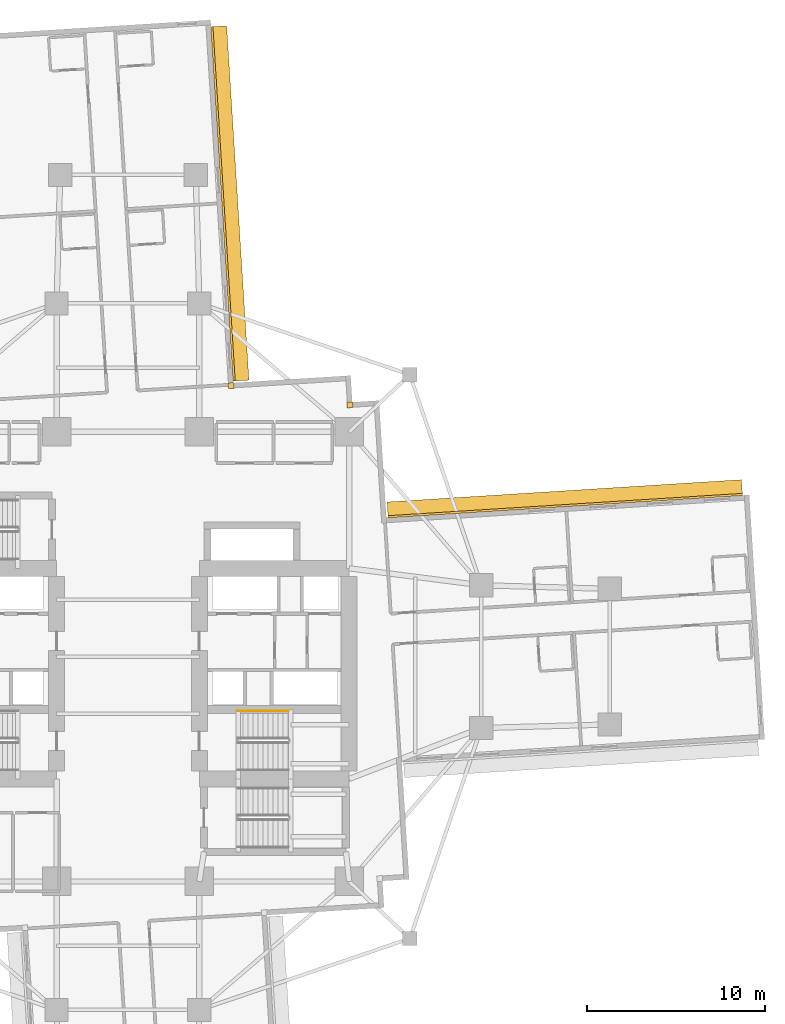
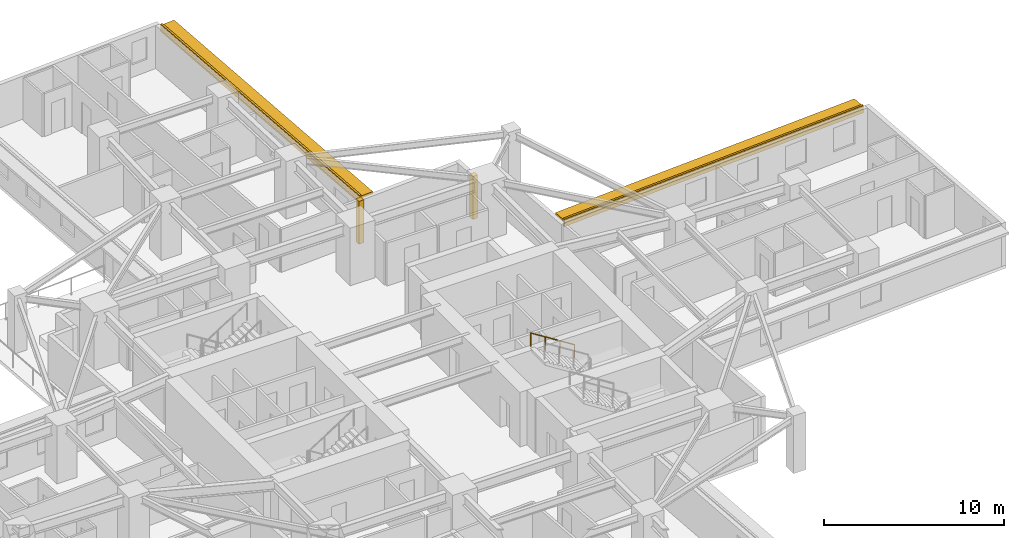
# One storey, part 14 of 14: 4 coverings, 2 shading devices, 1 railing.
"""IFC4 building model written with IfcOpenShell, lengths in metres."""

from ifc_helpers import new_model, si_unit, direction, frame, origin, origin_2d, place, context, subcontext, project, spatial, rectangle, circle, extrude, material, layer, layer_set, type_object, element, save


model = new_model("IFC4")

# Units and contexts
model_context = context("Model", 3, precision=1e-05, world=origin(), true_north=direction((0.0, 1.0)))
body_context = subcontext(model_context, "Body", "Model", "MODEL_VIEW")
ifc_project = project(units=[si_unit("LENGTHUNIT", "METRE"), si_unit("AREAUNIT", "SQUARE_METRE"), si_unit("VOLUMEUNIT", "CUBIC_METRE"), si_unit("PLANEANGLEUNIT", "RADIAN"), si_unit("MASSUNIT", "GRAM", prefix="KILO")], contexts=[model_context])

# Site, building, storey
site_placement = place(None, origin())
site = spatial("IfcSite", under=ifc_project, at=site_placement, CompositionType="ELEMENT")
building_placement = place(site_placement, origin())
building = spatial("IfcBuilding", under=site, at=building_placement, Name="Qingluan Cross Belvedere", CompositionType="ELEMENT")
storey_placement = place(building_placement, frame((0.0, 0.0, 39.300048828125)))
storey = spatial("IfcBuildingStorey", under=building, at=storey_placement, Name="L10", CompositionType="ELEMENT", Elevation=39.300048828125)

# Coverings
ifc_material_1 = material(Name="Precast concrete C45", Category="concrete")
ifc_layer_1 = layer(ifc_material_1, 0.1201171875, Name="ConcreteSpandrelCladding_120")
ifc_layer_set_1 = layer_set([ifc_layer_1], Name="Precast concrete C45")
covering_type = type_object("IfcCoveringType", Name="ConcreteSpandrelCladding_120", PredefinedType="CLADDING", material=ifc_layer_set_1)
for number, where, z_axis, x_axis, name in (
    (1, (24.5068359375, 8.465576171875, 2.449951171875), (0.0, 0.0, 1.0), (-0.998026688207, -0.062791158819, 0.0), "Spandrel cladding L10-EB"),
    (2, (5.3271484375, 25.37451171875, 2.449951171875), (0.0, 0.0, 1.0), (-0.062786203294, 0.998026999973, 0.0), "Spandrel cladding L10-NA"),
):
    element("IfcCovering", number, at=place(storey_placement, frame(where, z_axis=z_axis, x_axis=x_axis)), inside=storey, type_object=covering_type, Name=name, PredefinedType="CLADDING", context=body_context, shape_type="SweptSolid", body=[
        extrude(rectangle(XDim=19.89990234375, YDim=0.1201171875, at=origin_2d()), origin(), (0.0, 0.0, 1.0), 0.52001953125),
    ])
for number, where, z_axis, x_axis, name in (
    (3, (12.438720703125, 14.10888671875, 0.0), (0.0, 0.0, 1.0), (0.998026728428, 0.062790519529, 0.0), "Corner closure L10-NE1"),
    (4, (5.77734375, 15.192626953125, 0.0), (0.0, 0.0, 1.0), (0.998026728428, 0.062790519529, 0.0), "Corner closure L10-NE2"),
):
    element("IfcCovering", number, at=place(storey_placement, frame(where, z_axis=z_axis, x_axis=x_axis)), inside=storey, type_object=covering_type, Name=name, PredefinedType="CLADDING", context=body_context, shape_type="SweptSolid", body=[
        extrude(rectangle(XDim=0.320068359375, YDim=0.320068359375, at=origin_2d()), origin(), (0.0, 0.0, 1.0), 2.909912109375),
    ])

# Shading devices
ifc_material_2 = material(Name="Precast concrete C45", Category="concrete")
ifc_layer_2 = layer(ifc_material_2, 0.159912109375, Name="ConcreteSunshadeBand_900")
ifc_layer_set_2 = layer_set([ifc_layer_2], Name="Precast concrete C45")
shading_device_type = type_object("IfcShadingDeviceType", Name="ConcreteSunshadeBand_900", PredefinedType="USERDEFINED", material=ifc_layer_set_2)
for number, where, z_axis, x_axis, name in (
    (5, (24.48291015625, 8.8447265625, 2.72998046875), (0.0, 0.0, 1.0), (-0.998026688207, -0.062791158819, 0.0), "Concrete SUNSHADE L10-EB"),
    (6, (5.70654296875, 25.3984375, 2.72998046875), (0.0, 0.0, 1.0), (-0.062786203294, 0.998026999973, 0.0), "Concrete SUNSHADE L10-NA"),
):
    element("IfcShadingDevice", number, at=place(storey_placement, frame(where, z_axis=z_axis, x_axis=x_axis)), inside=storey, type_object=shading_device_type, Name=name, ObjectType="SUNSHADE", PredefinedType="USERDEFINED", context=body_context, shape_type="SweptSolid", body=[
        extrude(rectangle(XDim=19.89990234375, YDim=0.89990234375, at=origin_2d()), origin(), (0.0, 0.0, 1.0), 0.159912109375),
    ])

# Railing
ifc_material_3 = material(Name="Brushed stainless steel tubular handrail", Category="steel")
railing_type = type_object("IfcRailingType", Name="StairPitchHandrail_900", PredefinedType="HANDRAIL", material=ifc_material_3)
railing_placement = place(storey_placement, frame((8.97998046875, -3.050048828125, 2.127197265625)))
element("IfcRailing", 7, at=railing_placement, inside=storey, type_object=railing_type, Name="L10 ST2 stair handrail 2", PredefinedType="HANDRAIL", context=body_context, shape_type="SweptSolid", body=[
    extrude(circle(Radius=0.02392578125, at=origin_2d()), frame((0.0, 0.0, 0.8759765625), z_axis=(-0.844908973607, 0.0, 0.534910110503), x_axis=(0.0, -1.0, 0.0)), (0.0, 0.0, 1.0), 3.31396484375),
    extrude(circle(Radius=0.02099609375, at=origin_2d()), origin(), (0.0, 0.0, 1.0), 0.851806640625),
    extrude(circle(Radius=0.02099609375, at=origin_2d()), frame((-0.933349609375, 0.0, 0.5908203125)), (0.0, 0.0, 1.0), 0.851806640625),
    extrude(circle(Radius=0.02099609375, at=origin_2d()), frame((-1.86669921875, 0.0, 1.181884765625)), (0.0, 0.0, 1.0), 0.851806640625),
    extrude(circle(Radius=0.02099609375, at=origin_2d()), frame((-2.800048828125, 0.0, 1.772705078125)), (0.0, 0.0, 1.0), 0.851806640625),
])

save(model, "model.ifc")
